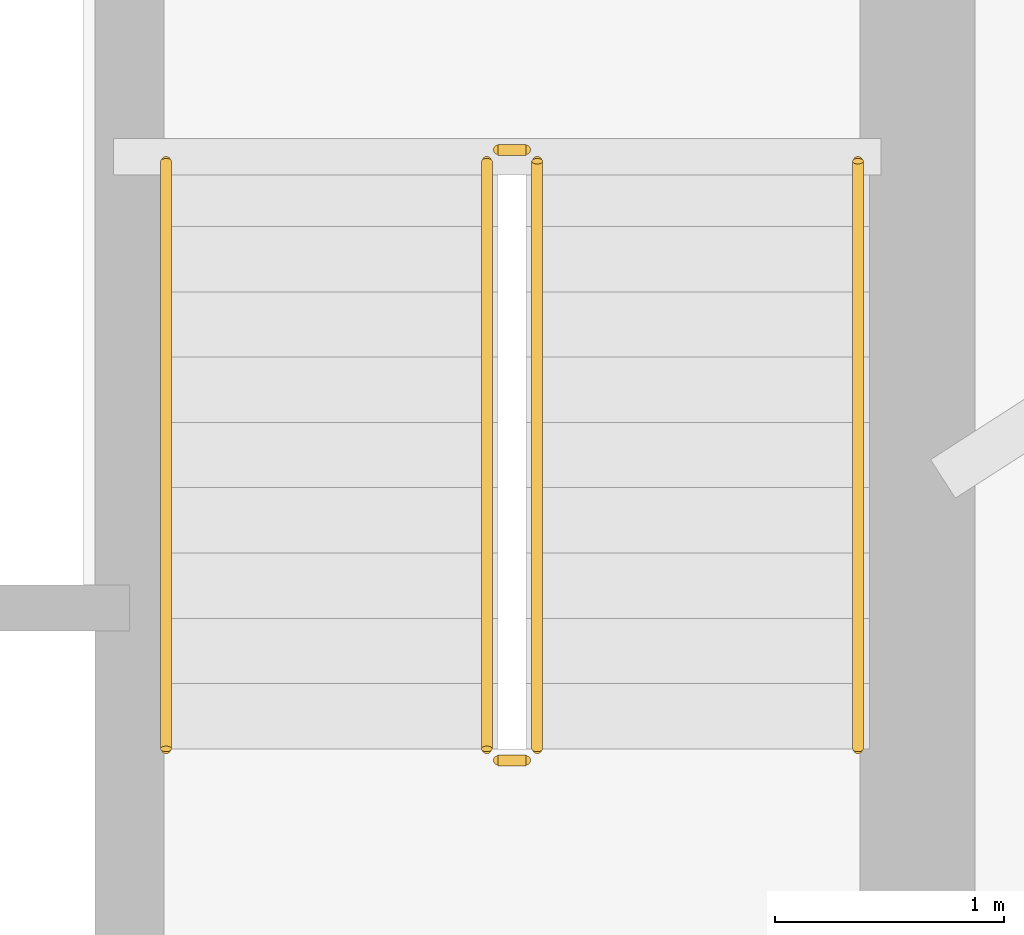
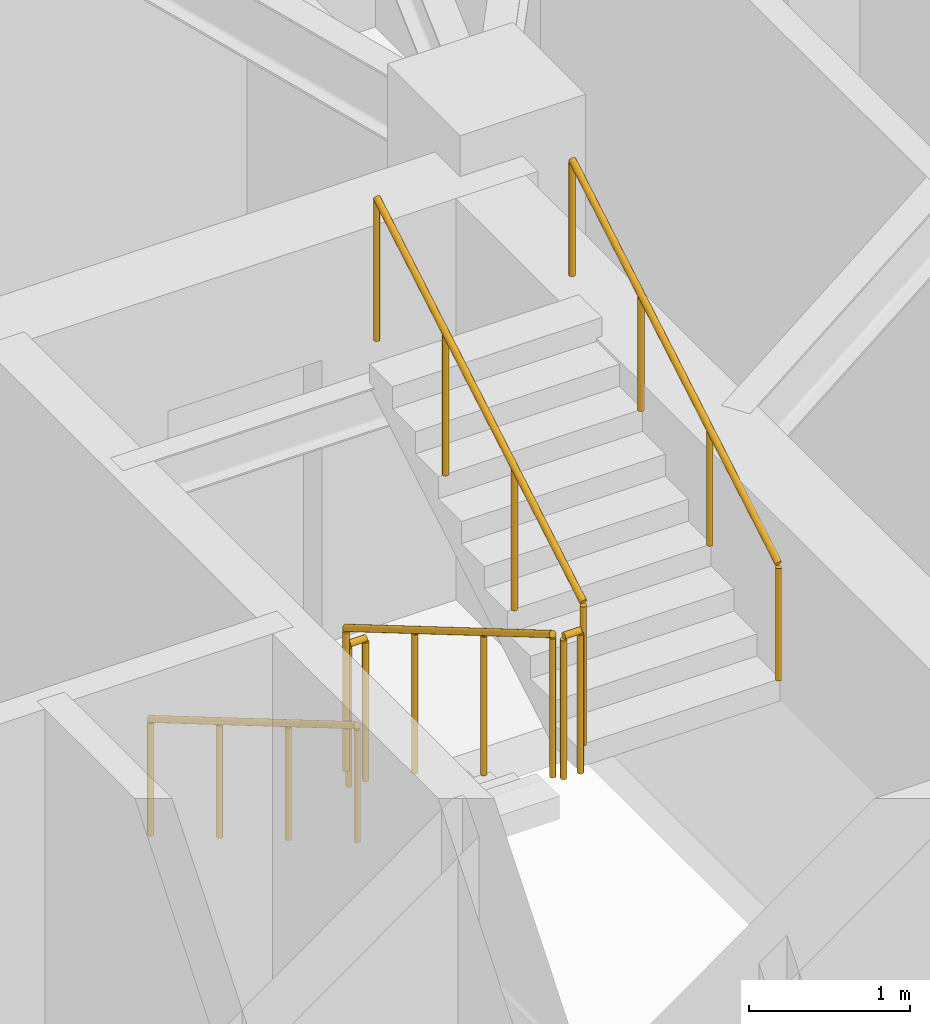
# One storey, part 18 of 18: 6 railings.
"""IFC4 building model written with IfcOpenShell, lengths in metres."""

from ifc_helpers import new_model, si_unit, direction, frame, origin, origin_2d, place, context, subcontext, project, spatial, circle, extrude, material, type_object, element, save


model = new_model("IFC4")

# Units and contexts
model_context = context("Model", 3, precision=1e-05, world=origin(), true_north=direction((0.0, 1.0)))
body_context = subcontext(model_context, "Body", "Model", "MODEL_VIEW")
ifc_project = project(units=[si_unit("LENGTHUNIT", "METRE"), si_unit("AREAUNIT", "SQUARE_METRE"), si_unit("VOLUMEUNIT", "CUBIC_METRE"), si_unit("PLANEANGLEUNIT", "RADIAN"), si_unit("MASSUNIT", "GRAM", prefix="KILO")], contexts=[model_context])

# Site, building, storey
site_placement = place(None, origin())
site = spatial("IfcSite", under=ifc_project, at=site_placement, CompositionType="ELEMENT")
building_placement = place(site_placement, origin())
building = spatial("IfcBuilding", under=site, at=building_placement, Name="Qobustan Lattice House", CompositionType="ELEMENT")
storey_placement = place(building_placement, frame((0.0, 0.0, 141.050048828125)))
storey = spatial("IfcBuildingStorey", under=building, at=storey_placement, Name="L39", CompositionType="ELEMENT", Elevation=141.050048828125)

# Railings
ifc_material_1 = material(Name="Brushed stainless steel handrail", Category="steel")
railing_type_1 = type_object("IfcRailingType", Name="RAL-HR-920", PredefinedType="HANDRAIL", material=ifc_material_1)
railing_1_placement = place(storey_placement, frame((15.179931640625, 3.5, 0.16748046875)))
element("IfcRailing", 1, at=railing_1_placement, inside=storey, type_object=railing_type_1, Name="L39 ST-E1 stair handrail 1", PredefinedType="HANDRAIL", context=body_context, shape_type="SweptSolid", body=[
    extrude(circle(Radius=0.02392578125, at=origin_2d()), frame((0.0, 0.0, 0.8759765625), z_axis=(0.0, -0.862113467892, 0.50671527358), x_axis=(1.0, 0.0, 0.0)), (0.0, 0.0, 1.0), 2.97509765625),
    extrude(circle(Radius=0.02099609375, at=origin_2d()), origin(), (0.0, 0.0, 1.0), 0.851806640625),
    extrude(circle(Radius=0.02099609375, at=origin_2d()), frame((0.0, -0.85498046875, 0.50244140625)), (0.0, 0.0, 1.0), 0.851806640625),
    extrude(circle(Radius=0.02099609375, at=origin_2d()), frame((0.0, -1.7099609375, 1.005126953125)), (0.0, 0.0, 1.0), 0.851806640625),
    extrude(circle(Radius=0.02099609375, at=origin_2d()), frame((0.0, -2.56494140625, 1.507568359375)), (0.0, 0.0, 1.0), 0.851806640625),
])
railing_2_placement = place(storey_placement, frame((18.199951171875, 0.93505859375, 1.842529296875)))
element("IfcRailing", 2, at=railing_2_placement, inside=storey, type_object=railing_type_1, Name="L39 ST-E1 stair handrail 2", PredefinedType="HANDRAIL", context=body_context, shape_type="SweptSolid", body=[
    extrude(circle(Radius=0.02392578125, at=origin_2d()), frame((0.0, 0.0, 0.8759765625), z_axis=(0.0, 0.862149314443, 0.506654280161), x_axis=(-1.0, 0.0, 0.0)), (0.0, 0.0, 1.0), 2.97509765625),
    extrude(circle(Radius=0.02099609375, at=origin_2d()), origin(), (0.0, 0.0, 1.0), 0.851806640625),
    extrude(circle(Radius=0.02099609375, at=origin_2d()), frame((0.0, 0.85498046875, 0.50244140625)), (0.0, 0.0, 1.0), 0.851806640625),
    extrude(circle(Radius=0.02099609375, at=origin_2d()), frame((0.0, 1.7099609375, 1.0048828125)), (0.0, 0.0, 1.0), 0.851806640625),
    extrude(circle(Radius=0.02099609375, at=origin_2d()), frame((0.0, 2.56494140625, 1.50732421875)), (0.0, 0.0, 1.0), 0.851806640625),
])
ifc_material_2 = material(Name="Painted galvanized steel guardrail", Category="steel")
railing_type_2 = type_object("IfcRailingType", Name="RAL-STG-1150", PredefinedType="GUARDRAIL", material=ifc_material_2)
railing_3_placement = place(storey_placement, frame((16.580078125, 3.5, 0.16748046875)))
element("IfcRailing", 3, at=railing_3_placement, inside=storey, type_object=railing_type_2, Name="L39 ST-E1 stair guard 1", PredefinedType="GUARDRAIL", context=body_context, shape_type="SweptSolid", body=[
    extrude(circle(Radius=0.02392578125, at=origin_2d()), frame((0.0, 0.0, 1.076171875), z_axis=(0.0, -0.862113467892, 0.50671527358), x_axis=(1.0, 0.0, 0.0)), (0.0, 0.0, 1.0), 2.97509765625),
    extrude(circle(Radius=0.02099609375, at=origin_2d()), origin(), (0.0, 0.0, 1.0), 1.052001953125),
    extrude(circle(Radius=0.02099609375, at=origin_2d()), frame((0.0, -0.85498046875, 0.50244140625)), (0.0, 0.0, 1.0), 1.052001953125),
    extrude(circle(Radius=0.02099609375, at=origin_2d()), frame((0.0, -1.7099609375, 1.005126953125)), (0.0, 0.0, 1.0), 1.052001953125),
    extrude(circle(Radius=0.02099609375, at=origin_2d()), frame((0.0, -2.56494140625, 1.507568359375)), (0.0, 0.0, 1.0), 1.052001953125),
])
railing_4_placement = place(storey_placement, frame((16.6298828125, 0.885009765625, 1.675048828125)))
element("IfcRailing", 4, at=railing_4_placement, inside=storey, type_object=railing_type_2, Name="L39 ST-E1 stair guard 2", PredefinedType="GUARDRAIL", context=body_context, shape_type="SweptSolid", body=[
    extrude(circle(Radius=0.02392578125, at=origin_2d()), frame((0.0, 0.0, 1.076171875), z_axis=(1.0, 0.0, 0.0), x_axis=(0.0, 1.0, 0.0)), (0.0, 0.0, 1.0), 0.1201171875),
    extrude(circle(Radius=0.02099609375, at=origin_2d()), origin(), (0.0, 0.0, 1.0), 1.052001953125),
    extrude(circle(Radius=0.02099609375, at=origin_2d()), frame((0.1201171875, 0.0, 0.0)), (0.0, 0.0, 1.0), 1.052001953125),
])
railing_5_placement = place(storey_placement, frame((16.800048828125, 0.93505859375, 1.842529296875)))
element("IfcRailing", 5, at=railing_5_placement, inside=storey, type_object=railing_type_2, Name="L39 ST-E1 stair guard 3", PredefinedType="GUARDRAIL", context=body_context, shape_type="SweptSolid", body=[
    extrude(circle(Radius=0.02392578125, at=origin_2d()), frame((0.0, 0.0, 1.076171875), z_axis=(0.0, 0.862149314443, 0.506654280161), x_axis=(-1.0, 0.0, 0.0)), (0.0, 0.0, 1.0), 2.97509765625),
    extrude(circle(Radius=0.02099609375, at=origin_2d()), origin(), (0.0, 0.0, 1.0), 1.052001953125),
    extrude(circle(Radius=0.02099609375, at=origin_2d()), frame((0.0, 0.85498046875, 0.50244140625)), (0.0, 0.0, 1.0), 1.052001953125),
    extrude(circle(Radius=0.02099609375, at=origin_2d()), frame((0.0, 1.7099609375, 1.0048828125)), (0.0, 0.0, 1.0), 1.052001953125),
    extrude(circle(Radius=0.02099609375, at=origin_2d()), frame((0.0, 2.56494140625, 1.50732421875)), (0.0, 0.0, 1.0), 1.052001953125),
])
railing_6_placement = place(storey_placement, frame((16.6298828125, 3.550048828125, 0.0)))
element("IfcRailing", 6, at=railing_6_placement, inside=storey, type_object=railing_type_2, Name="L39 ST-E1 stair guard 4", PredefinedType="GUARDRAIL", context=body_context, shape_type="SweptSolid", body=[
    extrude(circle(Radius=0.02392578125, at=origin_2d()), frame((0.0, 0.0, 1.076171875), z_axis=(1.0, 0.0, 0.0), x_axis=(0.0, 1.0, 0.0)), (0.0, 0.0, 1.0), 0.1201171875),
    extrude(circle(Radius=0.02099609375, at=origin_2d()), origin(), (0.0, 0.0, 1.0), 1.052001953125),
    extrude(circle(Radius=0.02099609375, at=origin_2d()), frame((0.1201171875, 0.0, 0.0)), (0.0, 0.0, 1.0), 1.052001953125),
])

save(model, "model.ifc")
